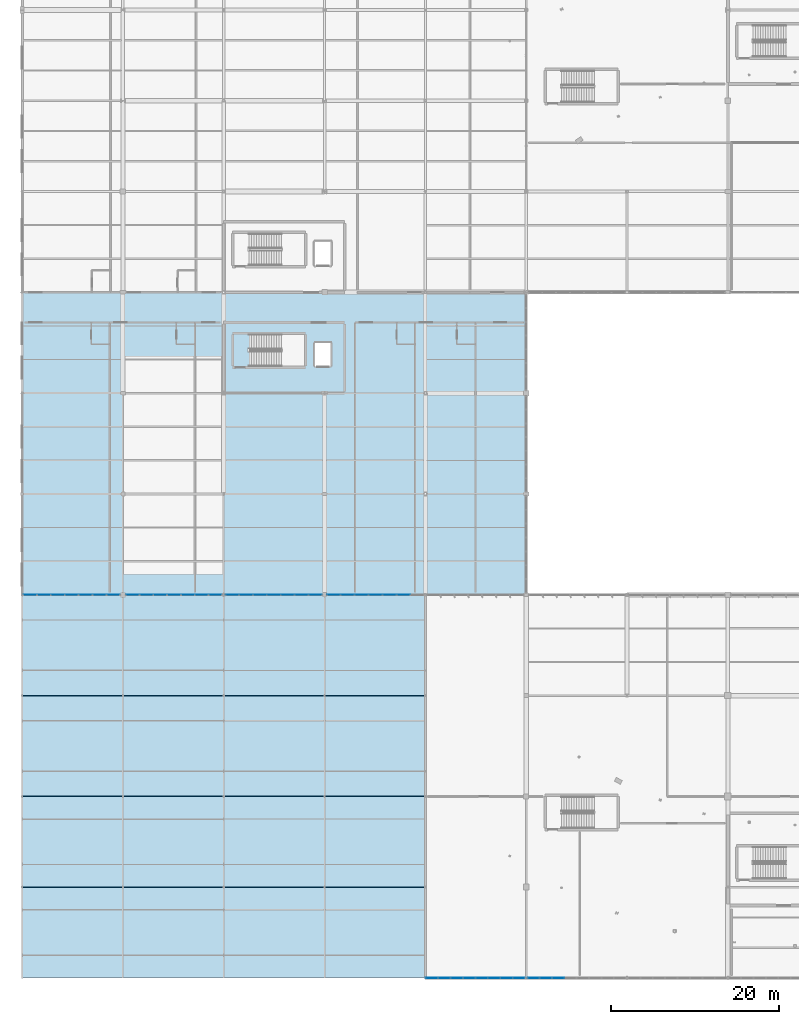
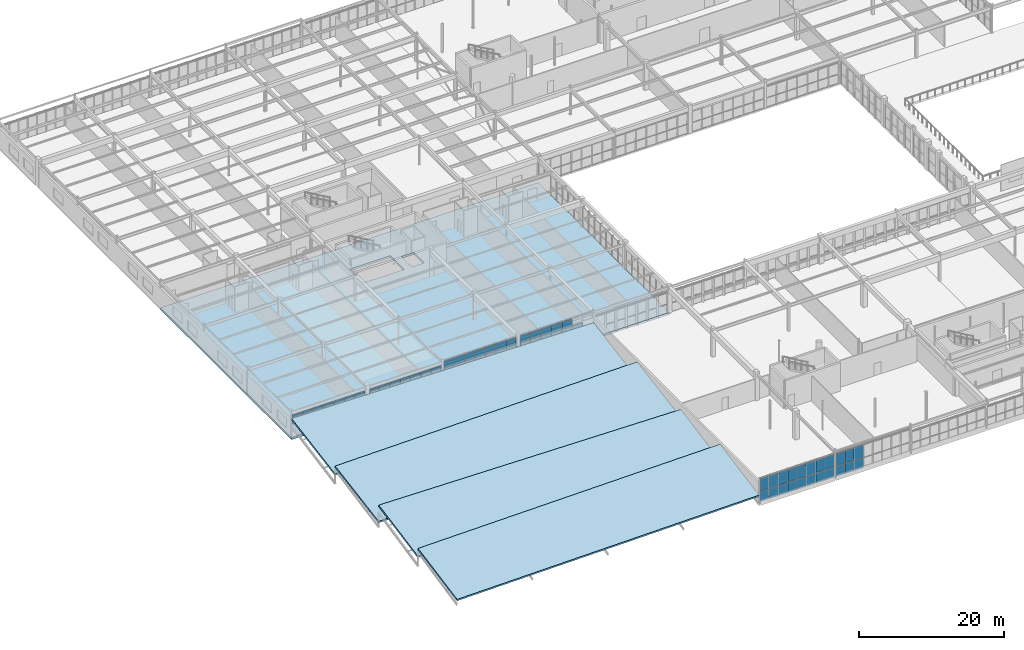
# One storey, part 135 of 226: 61 plates, 5 slabs, 6 elements without a shape of their own.
"""IFC4 building model written with IfcOpenShell, lengths in metres."""

from ifc_helpers import new_model, si_unit, direction, frame, origin, origin_2d, place, context, subcontext, project, spatial, polyline, rectangle, outline, extrude, material, layer, layer_set, type_object, element, aggregate, save


model = new_model("IFC4")

# Units and contexts
model_context = context("Model", 3, precision=1e-05, world=origin(), true_north=direction((0.0, 1.0)))
body_context = subcontext(model_context, "Body", "Model", "MODEL_VIEW")
ifc_project = project(units=[si_unit("LENGTHUNIT", "METRE"), si_unit("AREAUNIT", "SQUARE_METRE"), si_unit("VOLUMEUNIT", "CUBIC_METRE"), si_unit("PLANEANGLEUNIT", "RADIAN"), si_unit("MASSUNIT", "GRAM", prefix="KILO")], contexts=[model_context])

# Site, building, storey
site_placement = place(None, origin())
site = spatial("IfcSite", under=ifc_project, at=site_placement, CompositionType="ELEMENT")
building_placement = place(site_placement, origin())
building = spatial("IfcBuilding", under=site, at=building_placement, Name="Tarnwether General Hospital", CompositionType="ELEMENT")
storey_placement = place(building_placement, frame((0.0, 0.0, 4.800048828125)))
storey = spatial("IfcBuildingStorey", under=building, at=storey_placement, Name="L01", CompositionType="ELEMENT", Elevation=4.800048828125)

# Curtain wall, plates
ifc_material_1 = material(Name="Anodised aluminium", Category="aluminium")
ifc_layer_1 = layer(ifc_material_1, 0.159912109375)
ifc_layer_set_1 = layer_set([ifc_layer_1], Name="Anodised aluminium")
curtain_wall_type_1 = type_object("IfcCurtainWallType", Name="CW-13", PredefinedType="NOTDEFINED", material=ifc_layer_set_1)
curtain_wall_1_placement = place(storey_placement, origin())
curtain_wall_1 = element("IfcCurtainWall", 1, at=curtain_wall_1_placement, inside=storey, type_object=curtain_wall_type_1, Name="Curtain Wall CWG-L01-719_0-0334", PredefinedType="NOTDEFINED")
ifc_material_2 = material(Name="Double glazed low-E glass", Category="glass")
ifc_layer_2 = layer(ifc_material_2, 0.028076171875)
ifc_layer_set_2 = layer_set([ifc_layer_2], Name="Double glazed low-E glass")
plate_type = type_object("IfcPlateType", Name="PT-CWP1", PredefinedType="CURTAIN_PANEL", material=ifc_layer_set_2)
plate_1_placement = place(storey_placement, frame((63.79296875, 0.0, 0.06005859375), z_axis=(0.0, 0.0, 1.0), x_axis=(-1.0, 0.0, 0.0)))
plate_1 = element("IfcPlate", 2, at=plate_1_placement, type_object=plate_type, Name="CW-13 panel 6.1", PredefinedType="CURTAIN_PANEL", context=body_context, shape_type="SweptSolid", body=[
    extrude(rectangle(XDim=1.412109375, YDim=0.028076171875, at=origin_2d()), origin(), (0.0, 0.0, 1.0), 1.69775390625),
])
plate_2_placement = place(storey_placement, frame((63.79296875, 0.0, 1.817626953125), z_axis=(0.0, 0.0, 1.0), x_axis=(-1.0, 0.0, 0.0)))
plate_2 = element("IfcPlate", 3, at=plate_2_placement, type_object=plate_type, Name="CW-13 panel 6.2", PredefinedType="CURTAIN_PANEL", context=body_context, shape_type="SweptSolid", body=[
    extrude(rectangle(XDim=1.412109375, YDim=0.028076171875, at=origin_2d()), origin(), (0.0, 0.0, 1.0), 2.09521484375),
])
plate_3_placement = place(storey_placement, frame((62.321044921875, 0.0, 0.06005859375), z_axis=(0.0, 0.0, 1.0), x_axis=(-1.0, 0.0, 0.0)))
plate_3 = element("IfcPlate", 4, at=plate_3_placement, type_object=plate_type, Name="CW-13 panel 7.1", PredefinedType="CURTAIN_PANEL", context=body_context, shape_type="SweptSolid", body=[
    extrude(rectangle(XDim=1.412109375, YDim=0.028076171875, at=origin_2d()), origin(), (0.0, 0.0, 1.0), 1.69775390625),
])
plate_4_placement = place(storey_placement, frame((62.321044921875, 0.0, 1.817626953125), z_axis=(0.0, 0.0, 1.0), x_axis=(-1.0, 0.0, 0.0)))
plate_4 = element("IfcPlate", 5, at=plate_4_placement, type_object=plate_type, Name="CW-13 panel 7.2", PredefinedType="CURTAIN_PANEL", context=body_context, shape_type="SweptSolid", body=[
    extrude(rectangle(XDim=1.412109375, YDim=0.028076171875, at=origin_2d()), origin(), (0.0, 0.0, 1.0), 2.09521484375),
])
plate_5_placement = place(storey_placement, frame((60.864013671875, 0.0, 0.06005859375), z_axis=(0.0, 0.0, 1.0), x_axis=(-1.0, 0.0, 0.0)))
plate_5 = element("IfcPlate", 6, at=plate_5_placement, type_object=plate_type, Name="CW-13 panel 8.1", PredefinedType="CURTAIN_PANEL", context=body_context, shape_type="SweptSolid", body=[
    extrude(rectangle(XDim=1.382080078125, YDim=0.028076171875, at=origin_2d()), origin(), (0.0, 0.0, 1.0), 1.69775390625),
])
plate_6_placement = place(storey_placement, frame((60.864013671875, 0.0, 1.817626953125), z_axis=(0.0, 0.0, 1.0), x_axis=(-1.0, 0.0, 0.0)))
plate_6 = element("IfcPlate", 7, at=plate_6_placement, type_object=plate_type, Name="CW-13 panel 8.2", PredefinedType="CURTAIN_PANEL", context=body_context, shape_type="SweptSolid", body=[
    extrude(rectangle(XDim=1.382080078125, YDim=0.028076171875, at=origin_2d()), origin(), (0.0, 0.0, 1.0), 2.09521484375),
])
aggregate(curtain_wall_1, [plate_1, plate_2, plate_3, plate_4, plate_5, plate_6])

curtain_wall_2_placement = place(storey_placement, origin())
curtain_wall_2 = element("IfcCurtainWall", 8, at=curtain_wall_2_placement, inside=storey, type_object=curtain_wall_type_1, Name="Curtain Wall CWG-L01-599_0-0335", PredefinedType="NOTDEFINED")
plate_7_placement = place(storey_placement, frame((59.129150390625, 0.0, 0.06005859375), z_axis=(0.0, 0.0, 1.0), x_axis=(-1.0, 0.0, 0.0)))
plate_7 = element("IfcPlate", 9, at=plate_7_placement, type_object=plate_type, Name="CW-13 panel 1.1", PredefinedType="CURTAIN_PANEL", context=body_context, shape_type="SweptSolid", body=[
    extrude(rectangle(XDim=1.39599609375, YDim=0.028076171875, at=origin_2d()), origin(), (0.0, 0.0, 1.0), 1.69775390625),
])
plate_8_placement = place(storey_placement, frame((59.129150390625, 0.0, 1.817626953125), z_axis=(0.0, 0.0, 1.0), x_axis=(-1.0, 0.0, 0.0)))
plate_8 = element("IfcPlate", 10, at=plate_8_placement, type_object=plate_type, Name="CW-13 panel 1.2", PredefinedType="CURTAIN_PANEL", context=body_context, shape_type="SweptSolid", body=[
    extrude(rectangle(XDim=1.39599609375, YDim=0.028076171875, at=origin_2d()), origin(), (0.0, 0.0, 1.0), 2.09521484375),
])
plate_9_placement = place(storey_placement, frame((57.658203125, 0.0, 0.06005859375), z_axis=(0.0, 0.0, 1.0), x_axis=(-1.0, 0.0, 0.0)))
plate_9 = element("IfcPlate", 11, at=plate_9_placement, type_object=plate_type, Name="CW-13 panel 2.1", PredefinedType="CURTAIN_PANEL", context=body_context, shape_type="SweptSolid", body=[
    extrude(rectangle(XDim=1.42578125, YDim=0.028076171875, at=origin_2d()), origin(), (0.0, 0.0, 1.0), 1.69775390625),
])
plate_10_placement = place(storey_placement, frame((57.658203125, 0.0, 1.817626953125), z_axis=(0.0, 0.0, 1.0), x_axis=(-1.0, 0.0, 0.0)))
plate_10 = element("IfcPlate", 12, at=plate_10_placement, type_object=plate_type, Name="CW-13 panel 2.2", PredefinedType="CURTAIN_PANEL", context=body_context, shape_type="SweptSolid", body=[
    extrude(rectangle(XDim=1.42578125, YDim=0.028076171875, at=origin_2d()), origin(), (0.0, 0.0, 1.0), 2.09521484375),
])
plate_11_placement = place(storey_placement, frame((56.17236328125, 0.0, 0.06005859375), z_axis=(0.0, 0.0, 1.0), x_axis=(-1.0, 0.0, 0.0)))
plate_11 = element("IfcPlate", 13, at=plate_11_placement, type_object=plate_type, Name="CW-13 panel 3.1", PredefinedType="CURTAIN_PANEL", context=body_context, shape_type="SweptSolid", body=[
    extrude(rectangle(XDim=1.42578125, YDim=0.028076171875, at=origin_2d()), origin(), (0.0, 0.0, 1.0), 1.69775390625),
])
plate_12_placement = place(storey_placement, frame((56.17236328125, 0.0, 1.817626953125), z_axis=(0.0, 0.0, 1.0), x_axis=(-1.0, 0.0, 0.0)))
plate_12 = element("IfcPlate", 14, at=plate_12_placement, type_object=plate_type, Name="CW-13 panel 3.2", PredefinedType="CURTAIN_PANEL", context=body_context, shape_type="SweptSolid", body=[
    extrude(rectangle(XDim=1.42578125, YDim=0.028076171875, at=origin_2d()), origin(), (0.0, 0.0, 1.0), 2.09521484375),
])
plate_13_placement = place(storey_placement, frame((54.6865234375, 0.0, 0.06005859375), z_axis=(0.0, 0.0, 1.0), x_axis=(-1.0, 0.0, 0.0)))
plate_13 = element("IfcPlate", 15, at=plate_13_placement, type_object=plate_type, Name="CW-13 panel 4.1", PredefinedType="CURTAIN_PANEL", context=body_context, shape_type="SweptSolid", body=[
    extrude(rectangle(XDim=1.42578125, YDim=0.028076171875, at=origin_2d()), origin(), (0.0, 0.0, 1.0), 1.69775390625),
])
plate_14_placement = place(storey_placement, frame((54.6865234375, 0.0, 1.817626953125), z_axis=(0.0, 0.0, 1.0), x_axis=(-1.0, 0.0, 0.0)))
plate_14 = element("IfcPlate", 16, at=plate_14_placement, type_object=plate_type, Name="CW-13 panel 4.2", PredefinedType="CURTAIN_PANEL", context=body_context, shape_type="SweptSolid", body=[
    extrude(rectangle(XDim=1.42578125, YDim=0.028076171875, at=origin_2d()), origin(), (0.0, 0.0, 1.0), 2.09521484375),
])
plate_15_placement = place(storey_placement, frame((53.20068359375, 0.0, 0.06005859375), z_axis=(0.0, 0.0, 1.0), x_axis=(-1.0, 0.0, 0.0)))
plate_15 = element("IfcPlate", 17, at=plate_15_placement, type_object=plate_type, Name="CW-13 panel 5.1", PredefinedType="CURTAIN_PANEL", context=body_context, shape_type="SweptSolid", body=[
    extrude(rectangle(XDim=1.42578125, YDim=0.028076171875, at=origin_2d()), origin(), (0.0, 0.0, 1.0), 1.69775390625),
])
plate_16_placement = place(storey_placement, frame((53.20068359375, 0.0, 1.817626953125), z_axis=(0.0, 0.0, 1.0), x_axis=(-1.0, 0.0, 0.0)))
plate_16 = element("IfcPlate", 18, at=plate_16_placement, type_object=plate_type, Name="CW-13 panel 5.2", PredefinedType="CURTAIN_PANEL", context=body_context, shape_type="SweptSolid", body=[
    extrude(rectangle(XDim=1.42578125, YDim=0.028076171875, at=origin_2d()), origin(), (0.0, 0.0, 1.0), 2.09521484375),
])
plate_17_placement = place(storey_placement, frame((51.714599609375, 0.0, 0.06005859375), z_axis=(0.0, 0.0, 1.0), x_axis=(-1.0, 0.0, 0.0)))
plate_17 = element("IfcPlate", 19, at=plate_17_placement, type_object=plate_type, Name="CW-13 panel 6.1", PredefinedType="CURTAIN_PANEL", context=body_context, shape_type="SweptSolid", body=[
    extrude(rectangle(XDim=1.42578125, YDim=0.028076171875, at=origin_2d()), origin(), (0.0, 0.0, 1.0), 1.69775390625),
])
plate_18_placement = place(storey_placement, frame((51.714599609375, 0.0, 1.817626953125), z_axis=(0.0, 0.0, 1.0), x_axis=(-1.0, 0.0, 0.0)))
plate_18 = element("IfcPlate", 20, at=plate_18_placement, type_object=plate_type, Name="CW-13 panel 6.2", PredefinedType="CURTAIN_PANEL", context=body_context, shape_type="SweptSolid", body=[
    extrude(rectangle(XDim=1.42578125, YDim=0.028076171875, at=origin_2d()), origin(), (0.0, 0.0, 1.0), 2.09521484375),
])
plate_19_placement = place(storey_placement, frame((50.228759765625, 0.0, 0.06005859375), z_axis=(0.0, 0.0, 1.0), x_axis=(-1.0, 0.0, 0.0)))
plate_19 = element("IfcPlate", 21, at=plate_19_placement, type_object=plate_type, Name="CW-13 panel 7.1", PredefinedType="CURTAIN_PANEL", context=body_context, shape_type="SweptSolid", body=[
    extrude(rectangle(XDim=1.42578125, YDim=0.028076171875, at=origin_2d()), origin(), (0.0, 0.0, 1.0), 1.69775390625),
])
plate_20_placement = place(storey_placement, frame((50.228759765625, 0.0, 1.817626953125), z_axis=(0.0, 0.0, 1.0), x_axis=(-1.0, 0.0, 0.0)))
plate_20 = element("IfcPlate", 22, at=plate_20_placement, type_object=plate_type, Name="CW-13 panel 7.2", PredefinedType="CURTAIN_PANEL", context=body_context, shape_type="SweptSolid", body=[
    extrude(rectangle(XDim=1.42578125, YDim=0.028076171875, at=origin_2d()), origin(), (0.0, 0.0, 1.0), 2.09521484375),
])
plate_21_placement = place(storey_placement, frame((48.758056640625, 0.0, 0.06005859375), z_axis=(0.0, 0.0, 1.0), x_axis=(-1.0, 0.0, 0.0)))
plate_21 = element("IfcPlate", 23, at=plate_21_placement, type_object=plate_type, Name="CW-13 panel 8.1", PredefinedType="CURTAIN_PANEL", context=body_context, shape_type="SweptSolid", body=[
    extrude(rectangle(XDim=1.39599609375, YDim=0.028076171875, at=origin_2d()), origin(), (0.0, 0.0, 1.0), 1.69775390625),
])
plate_22_placement = place(storey_placement, frame((48.758056640625, 0.0, 1.817626953125), z_axis=(0.0, 0.0, 1.0), x_axis=(-1.0, 0.0, 0.0)))
plate_22 = element("IfcPlate", 24, at=plate_22_placement, type_object=plate_type, Name="CW-13 panel 8.2", PredefinedType="CURTAIN_PANEL", context=body_context, shape_type="SweptSolid", body=[
    extrude(rectangle(XDim=1.39599609375, YDim=0.028076171875, at=origin_2d()), origin(), (0.0, 0.0, 1.0), 2.09521484375),
])
aggregate(curtain_wall_2, [plate_7, plate_8, plate_9, plate_10, plate_11, plate_12, plate_13, plate_14, plate_15, plate_16, plate_17, plate_18, plate_19, plate_20, plate_21, plate_22])

ifc_material_3 = material(Name="Anodised aluminium", Category="aluminium")
ifc_layer_3 = layer(ifc_material_3, 0.159912109375)
ifc_layer_set_3 = layer_set([ifc_layer_3], Name="Anodised aluminium")
curtain_wall_type_2 = type_object("IfcCurtainWallType", Name="CW-24", PredefinedType="NOTDEFINED", material=ifc_layer_set_3)
curtain_wall_3_placement = place(storey_placement, origin())
curtain_wall_3 = element("IfcCurtainWall", 25, at=curtain_wall_3_placement, inside=storey, type_object=curtain_wall_type_2, Name="Curtain Wall CWG-L01-479_456-0348", PredefinedType="NOTDEFINED")
plate_23_placement = place(storey_placement, frame((45.376953125, 45.60009765625, 2.2099609375), z_axis=(0.0, 0.0, 1.0), x_axis=(-1.0, 0.0, 0.0)))
plate_23 = element("IfcPlate", 26, at=plate_23_placement, type_object=plate_type, Name="CW-24 panel 2.1", PredefinedType="CURTAIN_PANEL", context=body_context, shape_type="SweptSolid", body=[
    extrude(rectangle(XDim=1.597900390625, YDim=0.028076171875, at=origin_2d()), origin(), (0.0, 0.0, 1.0), 0.93603515625),
])
plate_24_placement = place(storey_placement, frame((43.718994140625, 45.60009765625, 2.2099609375), z_axis=(0.0, 0.0, 1.0), x_axis=(-1.0, 0.0, 0.0)))
plate_24 = element("IfcPlate", 27, at=plate_24_placement, type_object=plate_type, Name="CW-24 panel 3.1", PredefinedType="CURTAIN_PANEL", context=body_context, shape_type="SweptSolid", body=[
    extrude(rectangle(XDim=1.597900390625, YDim=0.028076171875, at=origin_2d()), origin(), (0.0, 0.0, 1.0), 0.93603515625),
])
plate_25_placement = place(storey_placement, frame((43.718994140625, 45.60009765625, 3.205810546875), z_axis=(0.0, 0.0, 1.0), x_axis=(-1.0, 0.0, 0.0)))
plate_25 = element("IfcPlate", 28, at=plate_25_placement, type_object=plate_type, Name="CW-24 panel 3.2", PredefinedType="CURTAIN_PANEL", context=body_context, shape_type="SweptSolid", body=[
    extrude(rectangle(XDim=1.597900390625, YDim=0.028076171875, at=origin_2d()), origin(), (0.0, 0.0, 1.0), 1.1640625),
])
plate_26_placement = place(storey_placement, frame((42.06103515625, 45.60009765625, 2.2099609375), z_axis=(0.0, 0.0, 1.0), x_axis=(-1.0, 0.0, 0.0)))
plate_26 = element("IfcPlate", 29, at=plate_26_placement, type_object=plate_type, Name="CW-24 panel 4.1", PredefinedType="CURTAIN_PANEL", context=body_context, shape_type="SweptSolid", body=[
    extrude(rectangle(XDim=1.597900390625, YDim=0.028076171875, at=origin_2d()), origin(), (0.0, 0.0, 1.0), 0.93603515625),
])
plate_27_placement = place(storey_placement, frame((42.06103515625, 45.60009765625, 3.205810546875), z_axis=(0.0, 0.0, 1.0), x_axis=(-1.0, 0.0, 0.0)))
plate_27 = element("IfcPlate", 30, at=plate_27_placement, type_object=plate_type, Name="CW-24 panel 4.2", PredefinedType="CURTAIN_PANEL", context=body_context, shape_type="SweptSolid", body=[
    extrude(rectangle(XDim=1.597900390625, YDim=0.028076171875, at=origin_2d()), origin(), (0.0, 0.0, 1.0), 1.1640625),
])
plate_28_placement = place(storey_placement, frame((40.403076171875, 45.60009765625, 2.2099609375), z_axis=(0.0, 0.0, 1.0), x_axis=(-1.0, 0.0, 0.0)))
plate_28 = element("IfcPlate", 31, at=plate_28_placement, type_object=plate_type, Name="CW-24 panel 5.1", PredefinedType="CURTAIN_PANEL", context=body_context, shape_type="SweptSolid", body=[
    extrude(rectangle(XDim=1.597900390625, YDim=0.028076171875, at=origin_2d()), origin(), (0.0, 0.0, 1.0), 0.93603515625),
])
plate_29_placement = place(storey_placement, frame((40.403076171875, 45.60009765625, 3.205810546875), z_axis=(0.0, 0.0, 1.0), x_axis=(-1.0, 0.0, 0.0)))
plate_29 = element("IfcPlate", 32, at=plate_29_placement, type_object=plate_type, Name="CW-24 panel 5.2", PredefinedType="CURTAIN_PANEL", context=body_context, shape_type="SweptSolid", body=[
    extrude(rectangle(XDim=1.597900390625, YDim=0.028076171875, at=origin_2d()), origin(), (0.0, 0.0, 1.0), 1.1640625),
])
plate_30_placement = place(storey_placement, frame((38.7451171875, 45.60009765625, 2.2099609375), z_axis=(0.0, 0.0, 1.0), x_axis=(-1.0, 0.0, 0.0)))
plate_30 = element("IfcPlate", 33, at=plate_30_placement, type_object=plate_type, Name="CW-24 panel 6.1", PredefinedType="CURTAIN_PANEL", context=body_context, shape_type="SweptSolid", body=[
    extrude(rectangle(XDim=1.597900390625, YDim=0.028076171875, at=origin_2d()), origin(), (0.0, 0.0, 1.0), 0.93603515625),
])
plate_31_placement = place(storey_placement, frame((38.7451171875, 45.60009765625, 3.205810546875), z_axis=(0.0, 0.0, 1.0), x_axis=(-1.0, 0.0, 0.0)))
plate_31 = element("IfcPlate", 34, at=plate_31_placement, type_object=plate_type, Name="CW-24 panel 6.2", PredefinedType="CURTAIN_PANEL", context=body_context, shape_type="SweptSolid", body=[
    extrude(rectangle(XDim=1.597900390625, YDim=0.028076171875, at=origin_2d()), origin(), (0.0, 0.0, 1.0), 1.1640625),
])
plate_32_placement = place(storey_placement, frame((37.10205078125, 45.60009765625, 2.2099609375), z_axis=(0.0, 0.0, 1.0), x_axis=(-1.0, 0.0, 0.0)))
plate_32 = element("IfcPlate", 35, at=plate_32_placement, type_object=plate_type, Name="CW-24 panel 7.1", PredefinedType="CURTAIN_PANEL", context=body_context, shape_type="SweptSolid", body=[
    extrude(rectangle(XDim=1.568115234375, YDim=0.028076171875, at=origin_2d()), origin(), (0.0, 0.0, 1.0), 0.93603515625),
])
plate_33_placement = place(storey_placement, frame((37.10205078125, 45.60009765625, 3.205810546875), z_axis=(0.0, 0.0, 1.0), x_axis=(-1.0, 0.0, 0.0)))
plate_33 = element("IfcPlate", 36, at=plate_33_placement, type_object=plate_type, Name="CW-24 panel 7.2", PredefinedType="CURTAIN_PANEL", context=body_context, shape_type="SweptSolid", body=[
    extrude(rectangle(XDim=1.568115234375, YDim=0.028076171875, at=origin_2d()), origin(), (0.0, 0.0, 1.0), 1.1640625),
])
aggregate(curtain_wall_3, [plate_23, plate_24, plate_25, plate_26, plate_27, plate_28, plate_29, plate_30, plate_31, plate_32, plate_33])

curtain_wall_4_placement = place(storey_placement, origin())
curtain_wall_4 = element("IfcCurtainWall", 37, at=curtain_wall_4_placement, inside=storey, type_object=curtain_wall_type_2, Name="Curtain Wall CWG-L01-357_456-0349", PredefinedType="NOTDEFINED")
plate_34_placement = place(storey_placement, frame((34.899658203125, 45.60009765625, 2.2099609375), z_axis=(0.0, 0.0, 1.0), x_axis=(-1.0, 0.0, 0.0)))
plate_34 = element("IfcPlate", 38, at=plate_34_placement, type_object=plate_type, Name="CW-24 panel 1.1", PredefinedType="CURTAIN_PANEL", context=body_context, shape_type="SweptSolid", body=[
    extrude(rectangle(XDim=1.564453125, YDim=0.028076171875, at=origin_2d()), origin(), (0.0, 0.0, 1.0), 0.93603515625),
])
plate_35_placement = place(storey_placement, frame((34.899658203125, 45.60009765625, 3.205810546875), z_axis=(0.0, 0.0, 1.0), x_axis=(-1.0, 0.0, 0.0)))
plate_35 = element("IfcPlate", 39, at=plate_35_placement, type_object=plate_type, Name="CW-24 panel 1.2", PredefinedType="CURTAIN_PANEL", context=body_context, shape_type="SweptSolid", body=[
    extrude(rectangle(XDim=1.564453125, YDim=0.028076171875, at=origin_2d()), origin(), (0.0, 0.0, 1.0), 1.1640625),
])
plate_36_placement = place(storey_placement, frame((33.26025390625, 45.60009765625, 2.2099609375), z_axis=(0.0, 0.0, 1.0), x_axis=(-1.0, 0.0, 0.0)))
plate_36 = element("IfcPlate", 40, at=plate_36_placement, type_object=plate_type, Name="CW-24 panel 2.1", PredefinedType="CURTAIN_PANEL", context=body_context, shape_type="SweptSolid", body=[
    extrude(rectangle(XDim=1.594482421875, YDim=0.028076171875, at=origin_2d()), origin(), (0.0, 0.0, 1.0), 0.93603515625),
])
plate_37_placement = place(storey_placement, frame((33.26025390625, 45.60009765625, 3.205810546875), z_axis=(0.0, 0.0, 1.0), x_axis=(-1.0, 0.0, 0.0)))
plate_37 = element("IfcPlate", 41, at=plate_37_placement, type_object=plate_type, Name="CW-24 panel 2.2", PredefinedType="CURTAIN_PANEL", context=body_context, shape_type="SweptSolid", body=[
    extrude(rectangle(XDim=1.594482421875, YDim=0.028076171875, at=origin_2d()), origin(), (0.0, 0.0, 1.0), 1.1640625),
])
plate_38_placement = place(storey_placement, frame((31.60546875, 45.60009765625, 2.2099609375), z_axis=(0.0, 0.0, 1.0), x_axis=(-1.0, 0.0, 0.0)))
plate_38 = element("IfcPlate", 42, at=plate_38_placement, type_object=plate_type, Name="CW-24 panel 3.1", PredefinedType="CURTAIN_PANEL", context=body_context, shape_type="SweptSolid", body=[
    extrude(rectangle(XDim=1.594482421875, YDim=0.028076171875, at=origin_2d()), origin(), (0.0, 0.0, 1.0), 0.93603515625),
])
plate_39_placement = place(storey_placement, frame((31.60546875, 45.60009765625, 3.205810546875), z_axis=(0.0, 0.0, 1.0), x_axis=(-1.0, 0.0, 0.0)))
plate_39 = element("IfcPlate", 43, at=plate_39_placement, type_object=plate_type, Name="CW-24 panel 3.2", PredefinedType="CURTAIN_PANEL", context=body_context, shape_type="SweptSolid", body=[
    extrude(rectangle(XDim=1.594482421875, YDim=0.028076171875, at=origin_2d()), origin(), (0.0, 0.0, 1.0), 1.1640625),
])
plate_40_placement = place(storey_placement, frame((29.950927734375, 45.60009765625, 2.2099609375), z_axis=(0.0, 0.0, 1.0), x_axis=(-1.0, 0.0, 0.0)))
plate_40 = element("IfcPlate", 44, at=plate_40_placement, type_object=plate_type, Name="CW-24 panel 4.1", PredefinedType="CURTAIN_PANEL", context=body_context, shape_type="SweptSolid", body=[
    extrude(rectangle(XDim=1.594482421875, YDim=0.028076171875, at=origin_2d()), origin(), (0.0, 0.0, 1.0), 0.93603515625),
])
plate_41_placement = place(storey_placement, frame((29.950927734375, 45.60009765625, 3.205810546875), z_axis=(0.0, 0.0, 1.0), x_axis=(-1.0, 0.0, 0.0)))
plate_41 = element("IfcPlate", 45, at=plate_41_placement, type_object=plate_type, Name="CW-24 panel 4.2", PredefinedType="CURTAIN_PANEL", context=body_context, shape_type="SweptSolid", body=[
    extrude(rectangle(XDim=1.594482421875, YDim=0.028076171875, at=origin_2d()), origin(), (0.0, 0.0, 1.0), 1.1640625),
])
plate_42_placement = place(storey_placement, frame((28.29638671875, 45.60009765625, 2.2099609375), z_axis=(0.0, 0.0, 1.0), x_axis=(-1.0, 0.0, 0.0)))
plate_42 = element("IfcPlate", 46, at=plate_42_placement, type_object=plate_type, Name="CW-24 panel 5.1", PredefinedType="CURTAIN_PANEL", context=body_context, shape_type="SweptSolid", body=[
    extrude(rectangle(XDim=1.594482421875, YDim=0.028076171875, at=origin_2d()), origin(), (0.0, 0.0, 1.0), 0.93603515625),
])
plate_43_placement = place(storey_placement, frame((28.29638671875, 45.60009765625, 3.205810546875), z_axis=(0.0, 0.0, 1.0), x_axis=(-1.0, 0.0, 0.0)))
plate_43 = element("IfcPlate", 47, at=plate_43_placement, type_object=plate_type, Name="CW-24 panel 5.2", PredefinedType="CURTAIN_PANEL", context=body_context, shape_type="SweptSolid", body=[
    extrude(rectangle(XDim=1.594482421875, YDim=0.028076171875, at=origin_2d()), origin(), (0.0, 0.0, 1.0), 1.1640625),
])
plate_44_placement = place(storey_placement, frame((26.641845703125, 45.60009765625, 2.2099609375), z_axis=(0.0, 0.0, 1.0), x_axis=(-1.0, 0.0, 0.0)))
plate_44 = element("IfcPlate", 48, at=plate_44_placement, type_object=plate_type, Name="CW-24 panel 6.1", PredefinedType="CURTAIN_PANEL", context=body_context, shape_type="SweptSolid", body=[
    extrude(rectangle(XDim=1.594482421875, YDim=0.028076171875, at=origin_2d()), origin(), (0.0, 0.0, 1.0), 0.93603515625),
])
plate_45_placement = place(storey_placement, frame((26.641845703125, 45.60009765625, 3.205810546875), z_axis=(0.0, 0.0, 1.0), x_axis=(-1.0, 0.0, 0.0)))
plate_45 = element("IfcPlate", 49, at=plate_45_placement, type_object=plate_type, Name="CW-24 panel 6.2", PredefinedType="CURTAIN_PANEL", context=body_context, shape_type="SweptSolid", body=[
    extrude(rectangle(XDim=1.594482421875, YDim=0.028076171875, at=origin_2d()), origin(), (0.0, 0.0, 1.0), 1.1640625),
])
plate_46_placement = place(storey_placement, frame((25.002197265625, 45.60009765625, 2.2099609375), z_axis=(0.0, 0.0, 1.0), x_axis=(-1.0, 0.0, 0.0)))
plate_46 = element("IfcPlate", 50, at=plate_46_placement, type_object=plate_type, Name="CW-24 panel 7.1", PredefinedType="CURTAIN_PANEL", context=body_context, shape_type="SweptSolid", body=[
    extrude(rectangle(XDim=1.564453125, YDim=0.028076171875, at=origin_2d()), origin(), (0.0, 0.0, 1.0), 0.93603515625),
])
plate_47_placement = place(storey_placement, frame((25.002197265625, 45.60009765625, 3.205810546875), z_axis=(0.0, 0.0, 1.0), x_axis=(-1.0, 0.0, 0.0)))
plate_47 = element("IfcPlate", 51, at=plate_47_placement, type_object=plate_type, Name="CW-24 panel 7.2", PredefinedType="CURTAIN_PANEL", context=body_context, shape_type="SweptSolid", body=[
    extrude(rectangle(XDim=1.564453125, YDim=0.028076171875, at=origin_2d()), origin(), (0.0, 0.0, 1.0), 1.1640625),
])
aggregate(curtain_wall_4, [plate_34, plate_35, plate_36, plate_37, plate_38, plate_39, plate_40, plate_41, plate_42, plate_43, plate_44, plate_45, plate_46, plate_47])

curtain_wall_5_placement = place(storey_placement, origin())
curtain_wall_5 = element("IfcCurtainWall", 52, at=curtain_wall_5_placement, inside=storey, type_object=curtain_wall_type_2, Name="Curtain Wall CWG-L01-238_456-0350", PredefinedType="NOTDEFINED")
plate_48_placement = place(storey_placement, frame((23.001220703125, 45.60009765625, 2.2099609375), z_axis=(0.0, 0.0, 1.0), x_axis=(-1.0, 0.0, 0.0)))
plate_48 = element("IfcPlate", 53, at=plate_48_placement, type_object=plate_type, Name="CW-24 panel 1.1", PredefinedType="CURTAIN_PANEL", context=body_context, shape_type="SweptSolid", body=[
    extrude(rectangle(XDim=1.557373046875, YDim=0.028076171875, at=origin_2d()), origin(), (0.0, 0.0, 1.0), 1.552978515625),
])
plate_49_placement = place(storey_placement, frame((21.368896484375, 45.60009765625, 2.2099609375), z_axis=(0.0, 0.0, 1.0), x_axis=(-1.0, 0.0, 0.0)))
plate_49 = element("IfcPlate", 54, at=plate_49_placement, type_object=plate_type, Name="CW-24 panel 2.1", PredefinedType="CURTAIN_PANEL", context=body_context, shape_type="SweptSolid", body=[
    extrude(rectangle(XDim=1.58740234375, YDim=0.028076171875, at=origin_2d()), origin(), (0.0, 0.0, 1.0), 1.552978515625),
])
plate_50_placement = place(storey_placement, frame((19.721435546875, 45.60009765625, 2.2099609375), z_axis=(0.0, 0.0, 1.0), x_axis=(-1.0, 0.0, 0.0)))
plate_50 = element("IfcPlate", 55, at=plate_50_placement, type_object=plate_type, Name="CW-24 panel 3.1", PredefinedType="CURTAIN_PANEL", context=body_context, shape_type="SweptSolid", body=[
    extrude(rectangle(XDim=1.58740234375, YDim=0.028076171875, at=origin_2d()), origin(), (0.0, 0.0, 1.0), 1.552978515625),
])
plate_51_placement = place(storey_placement, frame((18.073974609375, 45.60009765625, 2.2099609375), z_axis=(0.0, 0.0, 1.0), x_axis=(-1.0, 0.0, 0.0)))
plate_51 = element("IfcPlate", 56, at=plate_51_placement, type_object=plate_type, Name="CW-24 panel 4.1", PredefinedType="CURTAIN_PANEL", context=body_context, shape_type="SweptSolid", body=[
    extrude(rectangle(XDim=1.58740234375, YDim=0.028076171875, at=origin_2d()), origin(), (0.0, 0.0, 1.0), 1.552978515625),
])
plate_52_placement = place(storey_placement, frame((16.426513671875, 45.60009765625, 2.2099609375), z_axis=(0.0, 0.0, 1.0), x_axis=(-1.0, 0.0, 0.0)))
plate_52 = element("IfcPlate", 57, at=plate_52_placement, type_object=plate_type, Name="CW-24 panel 5.1", PredefinedType="CURTAIN_PANEL", context=body_context, shape_type="SweptSolid", body=[
    extrude(rectangle(XDim=1.58740234375, YDim=0.028076171875, at=origin_2d()), origin(), (0.0, 0.0, 1.0), 1.552978515625),
])
plate_53_placement = place(storey_placement, frame((14.779052734375, 45.60009765625, 2.2099609375), z_axis=(0.0, 0.0, 1.0), x_axis=(-1.0, 0.0, 0.0)))
plate_53 = element("IfcPlate", 58, at=plate_53_placement, type_object=plate_type, Name="CW-24 panel 6.1", PredefinedType="CURTAIN_PANEL", context=body_context, shape_type="SweptSolid", body=[
    extrude(rectangle(XDim=1.58740234375, YDim=0.028076171875, at=origin_2d()), origin(), (0.0, 0.0, 1.0), 1.552978515625),
])
plate_54_placement = place(storey_placement, frame((13.146728515625, 45.60009765625, 2.2099609375), z_axis=(0.0, 0.0, 1.0), x_axis=(-1.0, 0.0, 0.0)))
plate_54 = element("IfcPlate", 59, at=plate_54_placement, type_object=plate_type, Name="CW-24 panel 7.1", PredefinedType="CURTAIN_PANEL", context=body_context, shape_type="SweptSolid", body=[
    extrude(rectangle(XDim=1.557373046875, YDim=0.028076171875, at=origin_2d()), origin(), (0.0, 0.0, 1.0), 1.552978515625),
])
aggregate(curtain_wall_5, [plate_48, plate_49, plate_50, plate_51, plate_52, plate_53, plate_54])

curtain_wall_6_placement = place(storey_placement, origin())
curtain_wall_6 = element("IfcCurtainWall", 60, at=curtain_wall_6_placement, inside=storey, type_object=curtain_wall_type_2, Name="Curtain Wall CWG-L01-117_456-0351", PredefinedType="NOTDEFINED")
plate_55_placement = place(storey_placement, frame((10.849365234375, 45.60009765625, 2.2099609375), z_axis=(0.0, 0.0, 1.0), x_axis=(-1.0, 0.0, 0.0)))
plate_55 = element("IfcPlate", 61, at=plate_55_placement, type_object=plate_type, Name="CW-24 panel 1.1", PredefinedType="CURTAIN_PANEL", context=body_context, shape_type="SweptSolid", body=[
    extrude(rectangle(XDim=1.565185546875, YDim=0.028076171875, at=origin_2d()), origin(), (0.0, 0.0, 1.0), 1.552978515625),
])
plate_56_placement = place(storey_placement, frame((9.208984375, 45.60009765625, 2.2099609375), z_axis=(0.0, 0.0, 1.0), x_axis=(-1.0, 0.0, 0.0)))
plate_56 = element("IfcPlate", 62, at=plate_56_placement, type_object=plate_type, Name="CW-24 panel 2.1", PredefinedType="CURTAIN_PANEL", context=body_context, shape_type="SweptSolid", body=[
    extrude(rectangle(XDim=1.59521484375, YDim=0.028076171875, at=origin_2d()), origin(), (0.0, 0.0, 1.0), 1.552978515625),
])
plate_57_placement = place(storey_placement, frame((7.5537109375, 45.60009765625, 2.2099609375), z_axis=(0.0, 0.0, 1.0), x_axis=(-1.0, 0.0, 0.0)))
plate_57 = element("IfcPlate", 63, at=plate_57_placement, type_object=plate_type, Name="CW-24 panel 3.1", PredefinedType="CURTAIN_PANEL", context=body_context, shape_type="SweptSolid", body=[
    extrude(rectangle(XDim=1.59521484375, YDim=0.028076171875, at=origin_2d()), origin(), (0.0, 0.0, 1.0), 1.552978515625),
])
plate_58_placement = place(storey_placement, frame((5.8984375, 45.60009765625, 2.2099609375), z_axis=(0.0, 0.0, 1.0), x_axis=(-1.0, 0.0, 0.0)))
plate_58 = element("IfcPlate", 64, at=plate_58_placement, type_object=plate_type, Name="CW-24 panel 4.1", PredefinedType="CURTAIN_PANEL", context=body_context, shape_type="SweptSolid", body=[
    extrude(rectangle(XDim=1.59521484375, YDim=0.028076171875, at=origin_2d()), origin(), (0.0, 0.0, 1.0), 1.552978515625),
])
plate_59_placement = place(storey_placement, frame((4.2431640625, 45.60009765625, 2.2099609375), z_axis=(0.0, 0.0, 1.0), x_axis=(-1.0, 0.0, 0.0)))
plate_59 = element("IfcPlate", 65, at=plate_59_placement, type_object=plate_type, Name="CW-24 panel 5.1", PredefinedType="CURTAIN_PANEL", context=body_context, shape_type="SweptSolid", body=[
    extrude(rectangle(XDim=1.59521484375, YDim=0.028076171875, at=origin_2d()), origin(), (0.0, 0.0, 1.0), 1.552978515625),
])
plate_60_placement = place(storey_placement, frame((2.587890625, 45.60009765625, 2.2099609375), z_axis=(0.0, 0.0, 1.0), x_axis=(-1.0, 0.0, 0.0)))
plate_60 = element("IfcPlate", 66, at=plate_60_placement, type_object=plate_type, Name="CW-24 panel 6.1", PredefinedType="CURTAIN_PANEL", context=body_context, shape_type="SweptSolid", body=[
    extrude(rectangle(XDim=1.59521484375, YDim=0.028076171875, at=origin_2d()), origin(), (0.0, 0.0, 1.0), 1.552978515625),
])
plate_61_placement = place(storey_placement, frame((0.94775390625, 45.60009765625, 2.2099609375), z_axis=(0.0, 0.0, 1.0), x_axis=(-1.0, 0.0, 0.0)))
plate_61 = element("IfcPlate", 67, at=plate_61_placement, type_object=plate_type, Name="CW-24 panel 7.1", PredefinedType="CURTAIN_PANEL", context=body_context, shape_type="SweptSolid", body=[
    extrude(rectangle(XDim=1.565185546875, YDim=0.028076171875, at=origin_2d()), origin(), (0.0, 0.0, 1.0), 1.552978515625),
])
aggregate(curtain_wall_6, [plate_55, plate_56, plate_57, plate_58, plate_59, plate_60, plate_61])

# Slabs
ifc_material_4 = material(Name="Concrete 40 MPa", Category="concrete")
ifc_layer_4 = layer(ifc_material_4, 0.35498046875)
ifc_layer_set_4 = layer_set([ifc_layer_4], Name="Concrete 40 MPa")
slab_type_1 = type_object("IfcSlabType", Name="SL-FL220", PredefinedType="FLOOR", material=ifc_layer_set_4)
slab_1_placement = place(storey_placement, frame((0.0, 0.0, -0.35498046875)))
element("IfcSlab", 68, at=slab_1_placement, inside=storey, type_object=slab_type_1, Name="L01 ICU Pod A Floor SL-L01-V4W1", PredefinedType="FLOOR", context=body_context, shape_type="SweptSolid", body=[
    extrude(outline(polyline([(0.0, 45.60009765625), (0.0, 81.60009765625), (60.0, 81.60009765625), (60.0, 45.60009765625), (0.0, 45.60009765625)]), holes=[polyline([(36.780029296875, 75.6298828125), (34.820068359375, 75.6298828125), (34.820068359375, 72.77001953125), (36.780029296875, 72.77001953125), (36.780029296875, 75.6298828125)]), polyline([(33.60009765625, 76.60009765625), (27.179931640625, 76.60009765625), (27.179931640625, 72.800048828125), (33.60009765625, 72.800048828125), (33.60009765625, 76.60009765625)])]), origin(), (0.0, 0.0, 1.0), 0.35498046875),
])
ifc_material_5 = material(Name="Concrete 40 MPa", Category="concrete")
ifc_layer_5 = layer(ifc_material_5, 0.31005859375)
ifc_layer_set_5 = layer_set([ifc_layer_5], Name="Concrete 40 MPa")
slab_type_2 = type_object("IfcSlabType", Name="SL-RF160", PredefinedType="ROOF", material=ifc_layer_set_5)
slab_2_placement = place(storey_placement, frame((0.0, 0.030029296875, 0.47998046875), z_axis=(-0.014731785529, -0.187474463365, 0.982158999389), x_axis=(0.999887528133, 0.0, 0.014997702639)))
element("IfcSlab", 69, at=slab_2_placement, inside=storey, type_object=slab_type_2, Name="Emergency Sawtooth Roof Bay 1", PredefinedType="ROOF", context=body_context, shape_type="SweptSolid", body=[
    extrude(outline(polyline([(0.0, 0.0), (48.005399256889405, 0.0), (48.036145279609215, 10.933853168680015), (0.030746022719807222, 10.933853168680013), (0.0, 0.0)])), origin(), (0.0, 0.0, -1.0), 0.31005859375),
])
slab_3_placement = place(storey_placement, frame((0.0, 10.830078125, 1.199951171875), z_axis=(0.014731785529, -0.187474463365, 0.982158999389), x_axis=(0.999887528133, 0.0, -0.014997702639)))
element("IfcSlab", 70, at=slab_3_placement, inside=storey, type_object=slab_type_2, Name="Emergency Sawtooth Roof Bay 2", PredefinedType="ROOF", context=body_context, shape_type="SweptSolid", body=[
    extrude(outline(polyline([(0.0, 0.0), (48.005399256889405, 0.0), (47.9746532341696, 10.933853168680013), (-0.030746022719807222, 10.933853168680013), (0.0, 0.0)])), origin(), (0.0, 0.0, -1.0), 0.31005859375),
])
slab_4_placement = place(storey_placement, frame((0.0, 21.6298828125, 0.47998046875), z_axis=(-0.014781465158, -0.169198701746, 0.985471109478), x_axis=(0.999887528133, 0.0, 0.014997702639)))
element("IfcSlab", 71, at=slab_4_placement, inside=storey, type_object=slab_type_2, Name="Emergency Sawtooth Roof Bay 3", PredefinedType="ROOF", context=body_context, shape_type="SweptSolid", body=[
    extrude(outline(polyline([(0.0, 0.0), (48.005399256889405, 0.0), (48.036145279609215, 12.114858058334246), (0.030746022719807222, 12.114858058334246), (0.0, 0.0)])), origin(), (0.0, 0.0, -1.0), 0.31005859375),
])
slab_5_placement = place(storey_placement, frame((0.0, 33.6298828125, 1.199951171875), z_axis=(0.014781465158, -0.169198701746, 0.985471109478), x_axis=(0.999887528133, 0.0, -0.014997702639)))
element("IfcSlab", 72, at=slab_5_placement, inside=storey, type_object=slab_type_2, Name="Emergency Sawtooth Roof Bay 4", PredefinedType="ROOF", context=body_context, shape_type="SweptSolid", body=[
    extrude(outline(polyline([(0.0, 0.0), (48.005399256889405, 0.0), (47.9746532341696, 12.114858058334246), (-0.030746022719807222, 12.114858058334246), (0.0, 0.0)])), origin(), (0.0, 0.0, -1.0), 0.31005859375),
])

save(model, "model.ifc")
